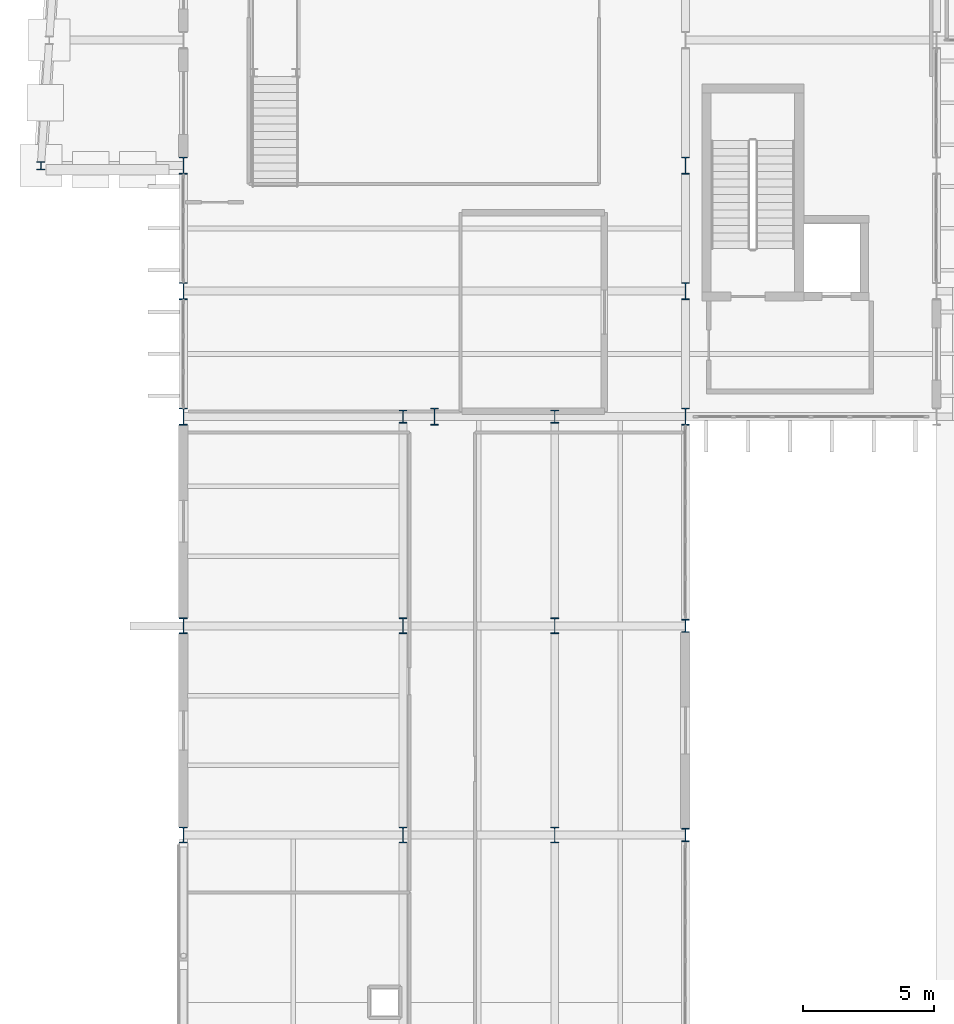
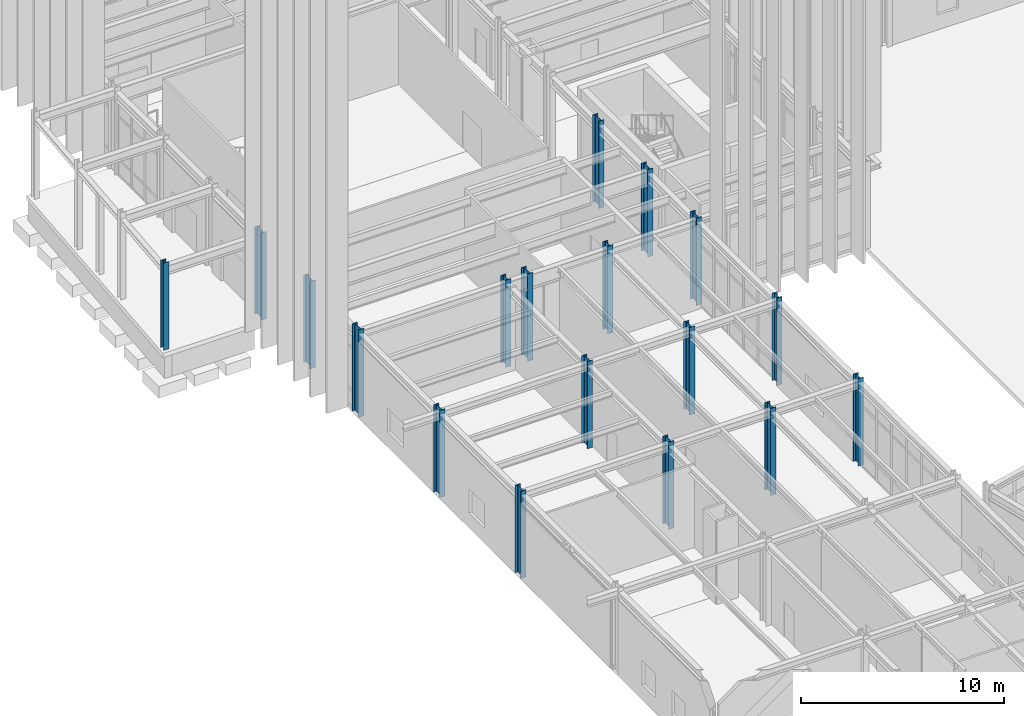
# One storey, part 12 of 109: 18 columns.
"""IFC4 building model written with IfcOpenShell, lengths in metres."""

from ifc_helpers import new_model, si_unit, direction, frame, origin, origin_2d, place, context, subcontext, project, spatial, i_section, extrude, material, material_profile, profile_set, type_object, element, save


model = new_model("IFC4")

# Units and contexts
model_context = context("Model", 3, precision=1e-05, world=origin(), true_north=direction((0.0, 1.0)))
body_context = subcontext(model_context, "Body", "Model", "MODEL_VIEW")
ifc_project = project(units=[si_unit("LENGTHUNIT", "METRE"), si_unit("AREAUNIT", "SQUARE_METRE"), si_unit("VOLUMEUNIT", "CUBIC_METRE"), si_unit("PLANEANGLEUNIT", "RADIAN"), si_unit("MASSUNIT", "GRAM", prefix="KILO")], contexts=[model_context])

# Site, building, storey
site_placement = place(None, origin())
site = spatial("IfcSite", under=ifc_project, at=site_placement, CompositionType="ELEMENT")
building_placement = place(site_placement, origin())
building = spatial("IfcBuilding", under=site, at=building_placement, Name="Nordkorset Police Headquarters", CompositionType="ELEMENT")
storey_placement = place(building_placement, origin())
storey = spatial("IfcBuildingStorey", under=building, at=storey_placement, Name="L00", CompositionType="ELEMENT", Elevation=0.0)

# Columns
ifc_material_1 = material(Name="Steel S355J2", Category="steel")
ifc_material_profile_1 = material_profile(ifc_material_1, i_section(OverallWidth=0.300048828125, OverallDepth=0.300048828125, WebThickness=0.010986328125, FlangeThickness=0.01904296875, FilletRadius=0.027099609375, at=origin_2d()), Name="HEB 300")
ifc_profile_set_1 = profile_set([ifc_material_profile_1], Name="Steel S355J2")
column_type_1 = type_object("IfcColumnType", Name="Col_HEB_300", PredefinedType="COLUMN", material=ifc_profile_set_1)
column_placement = place(storey_placement, frame((-5.449951171875, 92.800048828125, 0.0), z_axis=(0.0, 0.0, 1.0), x_axis=(1.0, 0.0, 0.0)))
element("IfcColumn", 1, at=column_placement, inside=storey, type_object=column_type_1, Name="Forecourt Portico Column L00 1", PredefinedType="COLUMN", context=body_context, shape_type="SweptSolid", body=[
    extrude(i_section(OverallWidth=0.300048828125, OverallDepth=0.300048828125, WebThickness=0.010986328125, FlangeThickness=0.01904296875, FilletRadius=0.027099609375, at=origin_2d()), origin(), (0.0, 0.0, 1.0), 5.25),
])
ifc_material_2 = material(Name="Steel S355J2", Category="steel")
ifc_material_profile_2 = material_profile(ifc_material_2, i_section(OverallWidth=0.300048828125, OverallDepth=0.5, WebThickness=0.014404296875, FlangeThickness=0.028076171875, FilletRadius=0.027099609375, at=origin_2d()), Name="HEB 500")
ifc_profile_set_2 = profile_set([ifc_material_profile_2], Name="Steel S355J2")
column_type_2 = type_object("IfcColumnType", Name="Col_HEB_500", PredefinedType="COLUMN", material=ifc_profile_set_2)
for number, where, z_axis, x_axis, name in (
    (2, (19.199951171875, 67.199951171875, 0.0), (0.0, 0.0, 1.0), (1.0, 0.0, 0.0), "Structural Column V3_X3_4 L00"),
    (3, (19.199951171875, 75.199951171875, 0.0), (0.0, 0.0, 1.0), (1.0, 0.0, 0.0), "Structural Column V3_X3_5 L00"),
    (4, (8.39990234375, 83.199951171875, 0.0), (0.0, 0.0, 1.0), (1.0, 0.0, 0.0), "Structural Column V3_X1_6 L00"),
    (5, (14.199951171875, 83.199951171875, 0.0), (0.0, 0.0, 1.0), (1.0, 0.0, 0.0), "Structural Column V3_X2_6 L00"),
):
    element("IfcColumn", number, at=place(storey_placement, frame(where, z_axis=z_axis, x_axis=x_axis)), inside=storey, type_object=column_type_2, Name=name, PredefinedType="COLUMN", context=body_context, shape_type="SweptSolid", body=[
        extrude(i_section(OverallWidth=0.300048828125, OverallDepth=0.5, WebThickness=0.014404296875, FlangeThickness=0.028076171875, FilletRadius=0.027099609375, at=origin_2d()), origin(), (0.0, 0.0, 1.0), 5.25),
    ])
ifc_material_3 = material(Name="Steel S355J2", Category="steel")
ifc_material_profile_3 = material_profile(ifc_material_3, i_section(OverallWidth=0.300048828125, OverallDepth=0.60009765625, WebThickness=0.015380859375, FlangeThickness=0.030029296875, FilletRadius=0.027099609375, at=origin_2d()), Name="HEB 600")
ifc_profile_set_3 = profile_set([ifc_material_profile_3], Name="Steel S355J2")
column_type_3 = type_object("IfcColumnType", Name="Col_HEB_600", PredefinedType="COLUMN", material=ifc_profile_set_3)
for number, where, z_axis, x_axis, name in (
    (6, (0.0, 67.199951171875, 0.0), (0.0, 0.0, 1.0), (1.0, 0.0, 0.0), "Structural Column V3_X0_4 L00"),
    (7, (8.39990234375, 67.199951171875, 0.0), (0.0, 0.0, 1.0), (1.0, 0.0, 0.0), "Structural Column V3_X1_4 L00"),
    (8, (14.199951171875, 67.199951171875, 0.0), (0.0, 0.0, 1.0), (1.0, 0.0, 0.0), "Structural Column V3_X2_4 L00"),
    (9, (0.0, 75.199951171875, 0.0), (0.0, 0.0, 1.0), (1.0, 0.0, 0.0), "Structural Column V3_X0_5 L00"),
    (10, (8.39990234375, 75.199951171875, 0.0), (0.0, 0.0, 1.0), (1.0, 0.0, 0.0), "Structural Column V3_X1_5 L00"),
    (11, (14.199951171875, 75.199951171875, 0.0), (0.0, 0.0, 1.0), (1.0, 0.0, 0.0), "Structural Column V3_X2_5 L00"),
):
    element("IfcColumn", number, at=place(storey_placement, frame(where, z_axis=z_axis, x_axis=x_axis)), inside=storey, type_object=column_type_3, Name=name, PredefinedType="COLUMN", context=body_context, shape_type="SweptSolid", body=[
        extrude(i_section(OverallWidth=0.300048828125, OverallDepth=0.60009765625, WebThickness=0.015380859375, FlangeThickness=0.030029296875, FilletRadius=0.027099609375, at=origin_2d()), origin(), (0.0, 0.0, 1.0), 5.25),
    ])
ifc_material_4 = material(Name="Steel S355J2", Category="steel")
ifc_material_profile_4 = material_profile(ifc_material_4, i_section(OverallWidth=0.300048828125, OverallDepth=0.64990234375, WebThickness=0.01611328125, FlangeThickness=0.031005859375, FilletRadius=0.027099609375, at=origin_2d()), Name="HEB 650")
ifc_profile_set_4 = profile_set([ifc_material_profile_4], Name="Steel S355J2")
column_type_4 = type_object("IfcColumnType", Name="Col_HEB_650", PredefinedType="COLUMN", material=ifc_profile_set_4)
for number, where, z_axis, x_axis, name in (
    (12, (0.0, 83.199951171875, 0.0), (0.0, 0.0, 1.0), (1.0, 0.0, 0.0), "Structural Column V1_W_0 L00"),
    (13, (0.0, 88.0, 0.0), (0.0, 0.0, 1.0), (1.0, 0.0, 0.0), "Structural Column V1_W_1 L00"),
    (14, (0.0, 92.800048828125, 0.0), (0.0, 0.0, 1.0), (1.0, 0.0, 0.0), "Structural Column V1_W_2 L00"),
    (15, (9.60009765625, 83.199951171875, 0.0), (0.0, 0.0, 1.0), (1.0, 0.0, 0.0), "Structural Column V1_S_0 L00"),
    (16, (19.199951171875, 83.199951171875, 0.0), (0.0, 0.0, 1.0), (1.0, 0.0, 0.0), "Structural Column V1_S_1 L00"),
    (17, (19.199951171875, 88.0, 0.0), (0.0, 0.0, 1.0), (1.0, 0.0, 0.0), "Structural Column V1_CW_0 L00"),
    (18, (19.199951171875, 92.800048828125, 0.0), (0.0, 0.0, 1.0), (1.0, 0.0, 0.0), "Structural Column V1_CW_1 L00"),
):
    element("IfcColumn", number, at=place(storey_placement, frame(where, z_axis=z_axis, x_axis=x_axis)), inside=storey, type_object=column_type_4, Name=name, PredefinedType="COLUMN", context=body_context, shape_type="SweptSolid", body=[
        extrude(i_section(OverallWidth=0.300048828125, OverallDepth=0.64990234375, WebThickness=0.01611328125, FlangeThickness=0.031005859375, FilletRadius=0.027099609375, at=origin_2d()), origin(), (0.0, 0.0, 1.0), 5.25),
    ])

save(model, "model.ifc")
